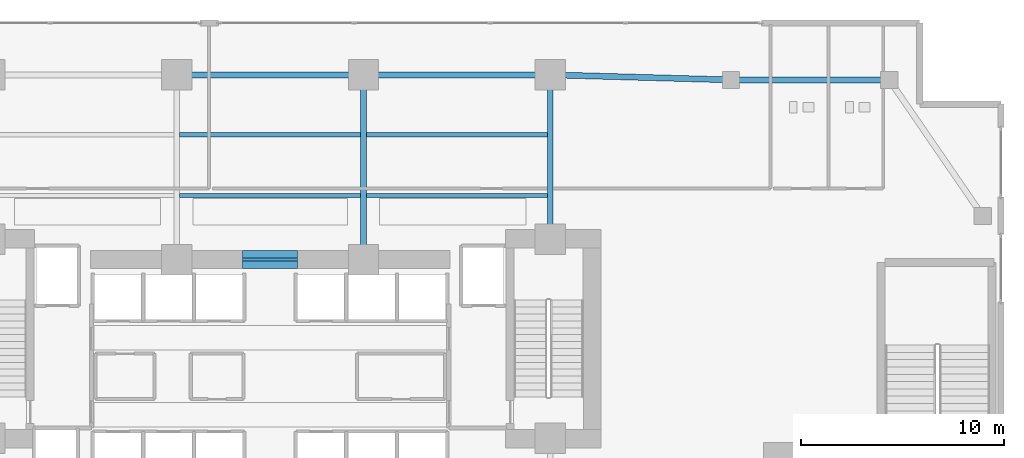
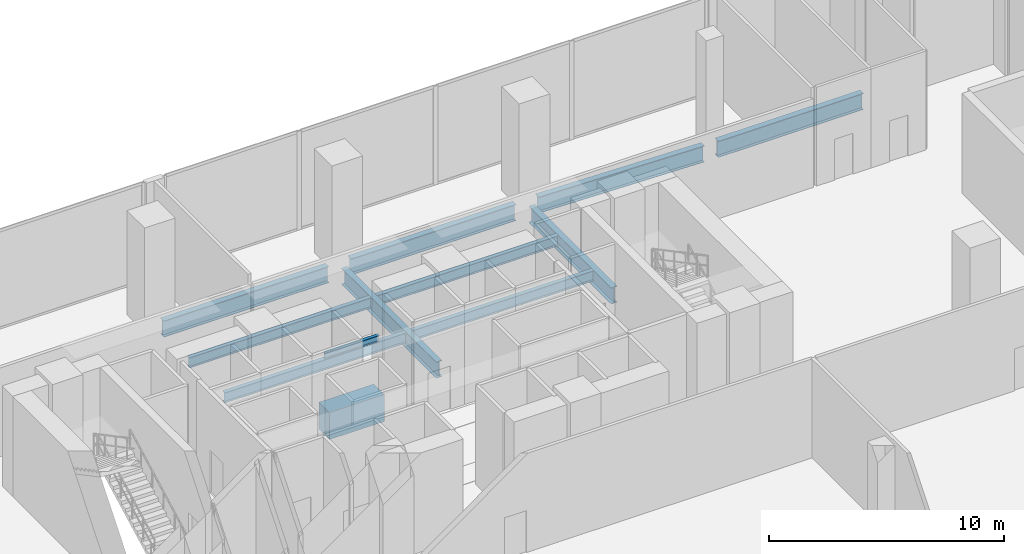
# One storey, part 16 of 30: 12 beams.
"""IFC4 building model written with IfcOpenShell, lengths in metres."""

from ifc_helpers import new_model, si_unit, direction, frame, origin, origin_2d, place, context, subcontext, project, spatial, rectangle, i_section, extrude, material, material_profile, profile_set, type_object, element, save


model = new_model("IFC4")

# Units and contexts
model_context = context("Model", 3, precision=1e-05, world=origin(), true_north=direction((0.0, 1.0)))
body_context = subcontext(model_context, "Body", "Model", "MODEL_VIEW")
ifc_project = project(units=[si_unit("LENGTHUNIT", "METRE"), si_unit("AREAUNIT", "SQUARE_METRE"), si_unit("VOLUMEUNIT", "CUBIC_METRE"), si_unit("PLANEANGLEUNIT", "RADIAN"), si_unit("MASSUNIT", "GRAM", prefix="KILO")], contexts=[model_context])

# Site, building, storey
site_placement = place(None, origin())
site = spatial("IfcSite", under=ifc_project, at=site_placement, CompositionType="ELEMENT")
building_placement = place(site_placement, origin())
building = spatial("IfcBuilding", under=site, at=building_placement, Name="Zuhayl Quay Hotel", CompositionType="ELEMENT")
storey_placement = place(building_placement, frame((0.0, 0.0, 6.0)))
storey = spatial("IfcBuildingStorey", under=building, at=storey_placement, Name="L01", CompositionType="ELEMENT", Elevation=6.0)

# Beams
ifc_material_1 = material(Name="Concrete C60/75", Category="concrete")
ifc_material_profile_1 = material_profile(ifc_material_1, rectangle(XDim=0.89990234375, YDim=1.39990234375, at=origin_2d()), Name="RC900X1400")
ifc_profile_set_1 = profile_set([ifc_material_profile_1], Name="Concrete C60/75")
beam_type_1 = type_object("IfcBeamType", Name="BM_CB1_RC900", PredefinedType="T_BEAM", material=ifc_profile_set_1)
beam_1_placement = place(storey_placement, frame((-1.35009765625, 13.35009765625, -0.949951171875), z_axis=(1.0, 0.0, 0.0), x_axis=(0.0, 1.0, 0.0)))
element("IfcBeam", 1, at=beam_1_placement, inside=storey, type_object=beam_type_1, Name="L01 Core Coupling Beam North", PredefinedType="T_BEAM", context=body_context, shape_type="SweptSolid", body=[
    extrude(rectangle(XDim=0.89990234375, YDim=1.39990234375, at=origin_2d()), origin(), (0.0, 0.0, 1.0), 2.7001953125),
])
ifc_material_2 = material(Name="Steel ASTM A992 Grade 50", Category="steel")
ifc_material_profile_2 = material_profile(ifc_material_2, i_section(OverallWidth=0.208984375, OverallDepth=0.532958984375, WebThickness=0.01025390625, FlangeThickness=0.015625, at=origin_2d()), Name="W21X62")
ifc_profile_set_2 = profile_set([ifc_material_profile_2], Name="Steel ASTM A992 Grade 50")
beam_type_2 = type_object("IfcBeamType", Name="BM_J1_W21X62", PredefinedType="JOIST", material=ifc_profile_set_2)
beam_2_placement = place(storey_placement, frame((-4.4619140625, 16.5, -0.5166015625), z_axis=(1.0, 0.0, 0.0), x_axis=(0.0, 1.0, 0.0)))
element("IfcBeam", 2, at=beam_2_placement, inside=storey, type_object=beam_type_2, Name="L01 Floor Beam J_POD_L01_4_2", PredefinedType="JOIST", context=body_context, shape_type="SweptSolid", body=[
    extrude(i_section(OverallWidth=0.208984375, OverallDepth=0.532958984375, WebThickness=0.01025390625, FlangeThickness=0.015625, at=origin_2d()), origin(), (0.0, 0.0, 1.0), 8.923828125),
])
beam_3_placement = place(storey_placement, frame((4.738037109375, 16.5, -0.5166015625), z_axis=(1.0, 0.0, 0.0), x_axis=(0.0, 1.0, 0.0)))
element("IfcBeam", 3, at=beam_3_placement, inside=storey, type_object=beam_type_2, Name="L01 Floor Beam J_POD_L01_4_3", PredefinedType="JOIST", context=body_context, shape_type="SweptSolid", body=[
    extrude(i_section(OverallWidth=0.208984375, OverallDepth=0.532958984375, WebThickness=0.01025390625, FlangeThickness=0.015625, at=origin_2d()), origin(), (0.0, 0.0, 1.0), 8.924072265625),
])
beam_4_placement = place(storey_placement, frame((-4.4619140625, 19.5, -0.5166015625), z_axis=(1.0, 0.0, 0.0), x_axis=(0.0, 1.0, 0.0)))
element("IfcBeam", 4, at=beam_4_placement, inside=storey, type_object=beam_type_2, Name="L01 Floor Beam J_POD_L01_5_2", PredefinedType="JOIST", context=body_context, shape_type="SweptSolid", body=[
    extrude(i_section(OverallWidth=0.208984375, OverallDepth=0.532958984375, WebThickness=0.01025390625, FlangeThickness=0.015625, at=origin_2d()), origin(), (0.0, 0.0, 1.0), 8.923828125),
])
beam_5_placement = place(storey_placement, frame((4.738037109375, 19.5, -0.5166015625), z_axis=(1.0, 0.0, 0.0), x_axis=(0.0, 1.0, 0.0)))
element("IfcBeam", 5, at=beam_5_placement, inside=storey, type_object=beam_type_2, Name="L01 Floor Beam J_POD_L01_5_3", PredefinedType="JOIST", context=body_context, shape_type="SweptSolid", body=[
    extrude(i_section(OverallWidth=0.208984375, OverallDepth=0.532958984375, WebThickness=0.01025390625, FlangeThickness=0.015625, at=origin_2d()), origin(), (0.0, 0.0, 1.0), 8.924072265625),
])
ifc_material_profile_3 = material_profile(ifc_material_2, i_section(OverallWidth=0.1650390625, OverallDepth=0.31005859375, WebThickness=0.005859375, FlangeThickness=0.009765625, at=origin_2d()), Name="W12X26")
ifc_profile_set_3 = profile_set([ifc_material_profile_3], Name="Steel ASTM A992 Grade 50")
beam_type_3 = type_object("IfcBeamType", Name="BM_LN1_W12X26", PredefinedType="LINTEL", material=ifc_profile_set_3)
beam_6_placement = place(storey_placement, frame((-1.35009765625, 13.35009765625, 2.449951171875), z_axis=(1.0, 0.0, 0.0), x_axis=(0.0, 1.0, 0.0)))
element("IfcBeam", 6, at=beam_6_placement, inside=storey, type_object=beam_type_3, Name="L01 Core Portal Header Steel Lintel LN1-4", PredefinedType="LINTEL", context=body_context, shape_type="SweptSolid", body=[
    extrude(i_section(OverallWidth=0.1650390625, OverallDepth=0.31005859375, WebThickness=0.005859375, FlangeThickness=0.009765625, at=origin_2d()), origin(), (0.0, 0.0, 1.0), 2.7001953125),
])
ifc_material_profile_4 = material_profile(ifc_material_2, i_section(OverallWidth=0.2919921875, OverallDepth=0.845947265625, WebThickness=0.015380859375, FlangeThickness=0.0244140625, at=origin_2d()), Name="W33X141")
ifc_profile_set_4 = profile_set([ifc_material_profile_4], Name="Steel ASTM A992 Grade 50")
beam_type_4 = type_object("IfcBeamType", Name="BM_PG3_W33X141", PredefinedType="BEAM", material=ifc_profile_set_4)
for number, where, z_axis, x_axis, name in (
    (7, (-4.050048828125, 22.449951171875, -0.673095703125), (1.0, 0.0, 0.0), (0.0, 1.0, 0.0), "L01 Floor Beam PG_N_L01_3"),
    (8, (5.14990234375, 22.449951171875, -0.673095703125), (1.0, 0.0, 0.0), (0.0, 1.0, 0.0), "L01 Floor Beam PG_N_L01_4"),
):
    element("IfcBeam", number, at=place(storey_placement, frame(where, z_axis=z_axis, x_axis=x_axis)), inside=storey, type_object=beam_type_4, Name=name, PredefinedType="BEAM", context=body_context, shape_type="SweptSolid", body=[
        extrude(i_section(OverallWidth=0.2919921875, OverallDepth=0.845947265625, WebThickness=0.015380859375, FlangeThickness=0.0244140625, at=origin_2d()), origin(), (0.0, 0.0, 1.0), 8.10009765625),
    ])
beam_7_placement = place(storey_placement, frame((14.349853515625, 22.4345703125, -0.673095703125), z_axis=(0.99960539529, -0.028090099801, 0.0), x_axis=(0.028090099801, 0.99960539529, 0.0)))
element("IfcBeam", 9, at=beam_7_placement, inside=storey, type_object=beam_type_4, Name="L01 Floor Beam PG_N_L01_5", PredefinedType="BEAM", context=body_context, shape_type="SweptSolid", body=[
    extrude(i_section(OverallWidth=0.2919921875, OverallDepth=0.845947265625, WebThickness=0.015380859375, FlangeThickness=0.0244140625, at=origin_2d()), origin(), (0.0, 0.0, 1.0), 8.013427734375),
])
beam_8_placement = place(storey_placement, frame((23.0400390625, 22.199951171875, -0.673095703125), z_axis=(1.0, 0.0, 0.0), x_axis=(0.0, 1.0, 0.0)))
element("IfcBeam", 10, at=beam_8_placement, inside=storey, type_object=beam_type_4, Name="L01 Floor Beam PG_N_L01_6", PredefinedType="BEAM", context=body_context, shape_type="SweptSolid", body=[
    extrude(i_section(OverallWidth=0.2919921875, OverallDepth=0.845947265625, WebThickness=0.015380859375, FlangeThickness=0.0244140625, at=origin_2d()), origin(), (0.0, 0.0, 1.0), 7.119873046875),
])
beam_9_placement = place(storey_placement, frame((4.60009765625, 13.8701171875, -0.673095703125), z_axis=(0.0, 1.0, 0.0), x_axis=(-1.0, 0.0, 0.0)))
element("IfcBeam", 11, at=beam_9_placement, inside=storey, type_object=beam_type_4, Name="L01 Floor Beam PG_NS3_L01_3", PredefinedType="BEAM", context=body_context, shape_type="SweptSolid", body=[
    extrude(i_section(OverallWidth=0.2919921875, OverallDepth=0.845947265625, WebThickness=0.015380859375, FlangeThickness=0.0244140625, at=origin_2d()), origin(), (0.0, 0.0, 1.0), 8.059814453125),
])
beam_10_placement = place(storey_placement, frame((13.800048828125, 14.919921875, -0.673095703125), z_axis=(0.0, 1.0, 0.0), x_axis=(-1.0, 0.0, 0.0)))
element("IfcBeam", 12, at=beam_10_placement, inside=storey, type_object=beam_type_4, Name="L01 Floor Beam PG_NS3_L01_4", PredefinedType="BEAM", context=body_context, shape_type="SweptSolid", body=[
    extrude(i_section(OverallWidth=0.2919921875, OverallDepth=0.845947265625, WebThickness=0.015380859375, FlangeThickness=0.0244140625, at=origin_2d()), origin(), (0.0, 0.0, 1.0), 7.010009765625),
])

save(model, "model.ifc")
